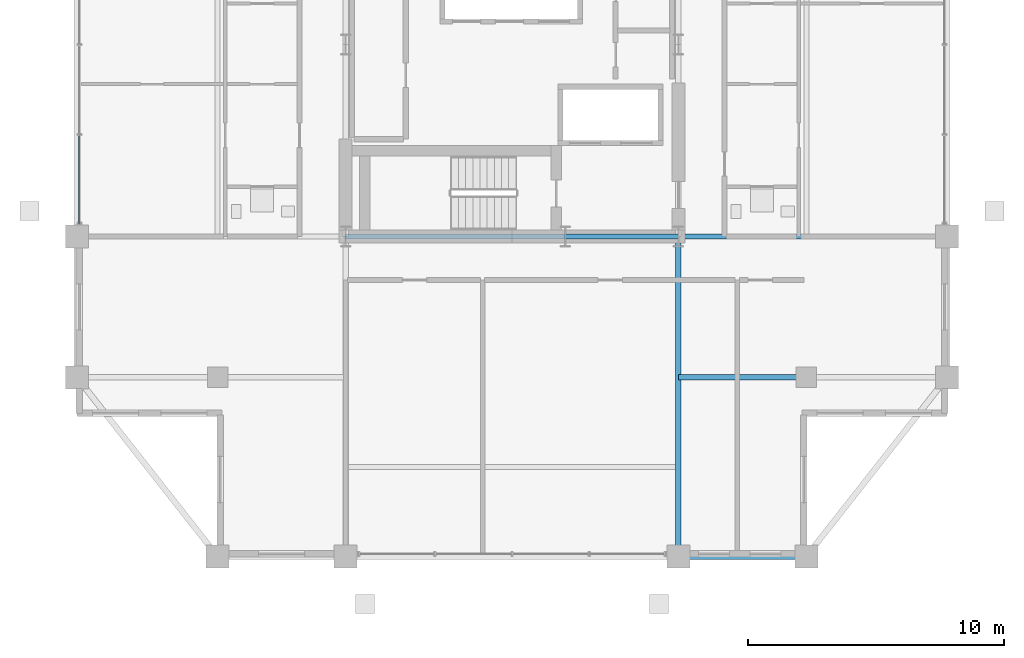
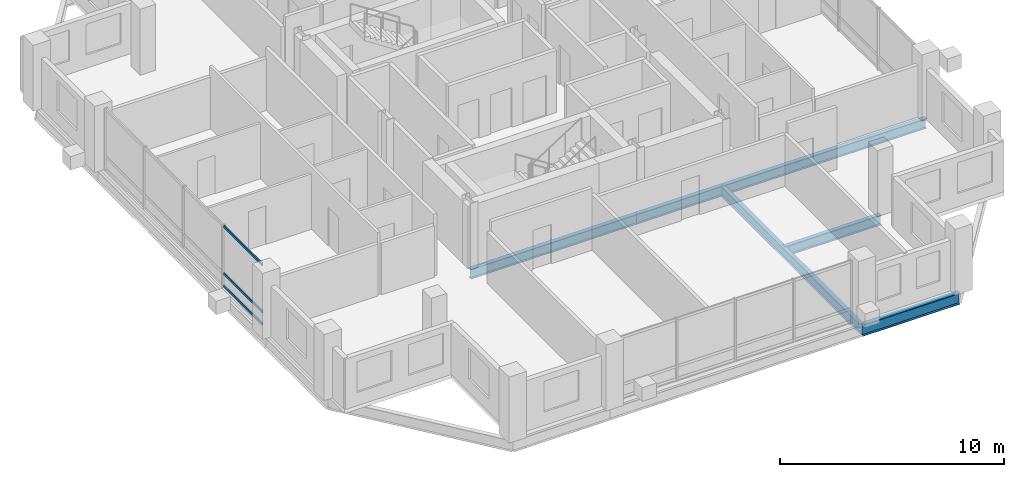
# One storey, part 5 of 21: 6 beams, 3 members, 1 element without a shape of its own.
"""IFC4 building model written with IfcOpenShell, lengths in metres."""

from ifc_helpers import new_model, si_unit, direction, frame, origin, origin_2d, place, context, subcontext, project, spatial, hollow_rectangle, i_section, extrude, material, layer, layer_set, material_profile, profile_set, type_object, element, aggregate, save


model = new_model("IFC4")

# Units and contexts
model_context = context("Model", 3, precision=1e-05, world=origin(), true_north=direction((0.0, 1.0)))
body_context = subcontext(model_context, "Body", "Model", "MODEL_VIEW")
ifc_project = project(units=[si_unit("LENGTHUNIT", "METRE"), si_unit("AREAUNIT", "SQUARE_METRE"), si_unit("VOLUMEUNIT", "CUBIC_METRE"), si_unit("PLANEANGLEUNIT", "RADIAN"), si_unit("MASSUNIT", "GRAM", prefix="KILO")], contexts=[model_context])

# Site, building, storey
site_placement = place(None, origin())
site = spatial("IfcSite", under=ifc_project, at=site_placement, CompositionType="ELEMENT")
building_placement = place(site_placement, origin())
building = spatial("IfcBuilding", under=site, at=building_placement, Name="Barlavira Tower and Art Museum", CompositionType="ELEMENT")
storey_placement = place(building_placement, frame((0.0, 0.0, 254.699951171875)))
storey = spatial("IfcBuildingStorey", under=building, at=storey_placement, Name="L66", CompositionType="ELEMENT", Elevation=254.699951171875)

# Curtain wall, members
ifc_material_1 = material(Name="Low-iron coastal laminated glass", Category="glass")
ifc_layer = layer(ifc_material_1, 0.2099609375, Name="Low-iron coastal laminated glass")
ifc_layer_set = layer_set([ifc_layer], Name="Low-iron coastal laminated glass")
curtain_wall_type = type_object("IfcCurtainWallType", Name="Pale-Metal Unitised Curtain Wall Zone 4", PredefinedType="NOTDEFINED", material=ifc_layer_set)
curtain_wall_placement = place(storey_placement, origin())
curtain_wall = element("IfcCurtainWall", 1, at=curtain_wall_placement, inside=storey, type_object=curtain_wall_type, Name="L66 Curtain Wall CW4-L66-W-B3", PredefinedType="NOTDEFINED")
ifc_material_2 = material(Name="Pale anodised aluminium", Category="aluminium")
ifc_material_profile_1 = material_profile(ifc_material_2, hollow_rectangle(XDim=0.06494140625, YDim=0.139892578125, WallThickness=0.00390625, at=origin_2d()), Name="ALU-TRAN 65x140x4")
ifc_profile_set_1 = profile_set([ifc_material_profile_1], Name="Pale anodised aluminium")
member_type = type_object("IfcMemberType", Name="Curtain Wall Pale-Metal Transom 65x140", PredefinedType="USERDEFINED", material=ifc_profile_set_1)
member_1_placement = place(storey_placement, frame((-16.89990234375, -3.56005859375, 0.070068359375), z_axis=(0.0, -1.0, 0.0), x_axis=(1.0, 0.0, 0.0)))
member_1 = element("IfcMember", 2, at=member_1_placement, type_object=member_type, Name="CW4-L66-W-B3 Transom 3.1", ObjectType="TRANSOM", PredefinedType="USERDEFINED", context=body_context, shape_type="SweptSolid", body=[
    extrude(hollow_rectangle(XDim=0.06494140625, YDim=0.139892578125, WallThickness=0.00390625, at=origin_2d()), origin(), (0.0, 0.0, 1.0), 3.425048828125),
])
member_2_placement = place(storey_placement, frame((-16.89990234375, -3.56005859375, 0.744140625), z_axis=(0.0, -1.0, 0.0), x_axis=(1.0, 0.0, 0.0)))
member_2 = element("IfcMember", 3, at=member_2_placement, type_object=member_type, Name="CW4-L66-W-B3 Transom 3.2", ObjectType="TRANSOM", PredefinedType="USERDEFINED", context=body_context, shape_type="SweptSolid", body=[
    extrude(hollow_rectangle(XDim=0.06494140625, YDim=0.139892578125, WallThickness=0.00390625, at=origin_2d()), origin(), (0.0, 0.0, 1.0), 3.425048828125),
])
member_3_placement = place(storey_placement, frame((-16.89990234375, -3.56005859375, 3.31005859375), z_axis=(0.0, -1.0, 0.0), x_axis=(1.0, 0.0, 0.0)))
member_3 = element("IfcMember", 4, at=member_3_placement, type_object=member_type, Name="CW4-L66-W-B3 Transom 3.3", ObjectType="TRANSOM", PredefinedType="USERDEFINED", context=body_context, shape_type="SweptSolid", body=[
    extrude(hollow_rectangle(XDim=0.06494140625, YDim=0.139892578125, WallThickness=0.00390625, at=origin_2d()), origin(), (0.0, 0.0, 1.0), 3.425048828125),
])
aggregate(curtain_wall, [member_1, member_2, member_3])

# Beams
ifc_material_3 = material(Name="Steel S355", Category="steel")
ifc_material_profile_2 = material_profile(ifc_material_3, i_section(OverallWidth=0.22998046875, OverallDepth=0.616943359375, WebThickness=0.01318359375, FlangeThickness=0.022216796875, at=origin_2d()), Name="W610x140.0")
ifc_profile_set_2 = profile_set([ifc_material_profile_2], Name="Steel S355")
beam_type_1 = type_object("IfcBeamType", Name="Upper Shaft Spandrel Edge Beam W610x140 Steel S355", PredefinedType="SPANDREL", material=ifc_profile_set_2)
beam_1_placement = place(storey_placement, frame((6.5, -20.0, -0.528564453125), z_axis=(1.0, 0.0, 0.0), x_axis=(0.0, 1.0, 0.0)))
element("IfcBeam", 5, at=beam_1_placement, inside=storey, type_object=beam_type_1, Name="L66 Spandrel 3", PredefinedType="SPANDREL", context=body_context, shape_type="SweptSolid", body=[
    extrude(i_section(OverallWidth=0.22998046875, OverallDepth=0.616943359375, WebThickness=0.01318359375, FlangeThickness=0.022216796875, at=origin_2d()), origin(), (0.0, 0.0, 1.0), 5.0),
])
ifc_material_profile_3 = material_profile(ifc_material_3, i_section(OverallWidth=0.2109375, OverallDepth=0.5390625, WebThickness=0.01171875, FlangeThickness=0.018798828125, at=origin_2d()), Name="W530x109.0")
ifc_profile_set_3 = profile_set([ifc_material_profile_3], Name="Steel S355")
beam_type_2 = type_object("IfcBeamType", Name="Zone 3-4 Primary Floor Girder W530x109 Steel S355", PredefinedType="BEAM", material=ifc_profile_set_3)
beam_2_placement = place(storey_placement, frame((-6.5, -7.5, -0.489501953125), z_axis=(1.0, 0.0, 0.0), x_axis=(0.0, 1.0, 0.0)))
element("IfcBeam", 6, at=beam_2_placement, inside=storey, type_object=beam_type_2, Name="L66 Girder C-S1", PredefinedType="BEAM", context=body_context, shape_type="SweptSolid", body=[
    extrude(i_section(OverallWidth=0.2109375, OverallDepth=0.5390625, WebThickness=0.01171875, FlangeThickness=0.018798828125, at=origin_2d()), origin(), (0.0, 0.0, 1.0), 8.580078125),
])
beam_3_placement = place(storey_placement, frame((2.080078125, -7.5, -0.489501953125), z_axis=(1.0, 0.0, 0.0), x_axis=(0.0, 1.0, 0.0)))
element("IfcBeam", 7, at=beam_3_placement, inside=storey, type_object=beam_type_2, Name="L66 Girder C-S2", PredefinedType="BEAM", context=body_context, shape_type="SweptSolid", body=[
    extrude(i_section(OverallWidth=0.2109375, OverallDepth=0.5390625, WebThickness=0.01171875, FlangeThickness=0.018798828125, at=origin_2d()), origin(), (0.0, 0.0, 1.0), 4.419921875),
])
beam_4_placement = place(storey_placement, frame((6.5, -20.0, -0.489501953125), z_axis=(0.0, 1.0, 0.0), x_axis=(-1.0, 0.0, 0.0)))
element("IfcBeam", 8, at=beam_4_placement, inside=storey, type_object=beam_type_2, Name="L66 Girder R-S2", PredefinedType="BEAM", context=body_context, shape_type="SweptSolid", body=[
    extrude(i_section(OverallWidth=0.2109375, OverallDepth=0.5390625, WebThickness=0.01171875, FlangeThickness=0.018798828125, at=origin_2d()), origin(), (0.0, 0.0, 1.0), 12.5),
])
beam_5_placement = place(storey_placement, frame((6.5, -7.5, -0.489501953125), z_axis=(1.0, 0.0, 0.0), x_axis=(0.0, 1.0, 0.0)))
element("IfcBeam", 9, at=beam_5_placement, inside=storey, type_object=beam_type_2, Name="L66 Girder R-E1", PredefinedType="BEAM", context=body_context, shape_type="SweptSolid", body=[
    extrude(i_section(OverallWidth=0.2109375, OverallDepth=0.5390625, WebThickness=0.01171875, FlangeThickness=0.018798828125, at=origin_2d()), origin(), (0.0, 0.0, 1.0), 10.5),
])
beam_6_placement = place(storey_placement, frame((6.5, -13.0, -0.489501953125), z_axis=(1.0, 0.0, 0.0), x_axis=(0.0, 1.0, 0.0)))
element("IfcBeam", 10, at=beam_6_placement, inside=storey, type_object=beam_type_2, Name="L66 Girder I-S3", PredefinedType="BEAM", context=body_context, shape_type="SweptSolid", body=[
    extrude(i_section(OverallWidth=0.2109375, OverallDepth=0.5390625, WebThickness=0.01171875, FlangeThickness=0.018798828125, at=origin_2d()), origin(), (0.0, 0.0, 1.0), 5.0),
])

save(model, "model.ifc")
